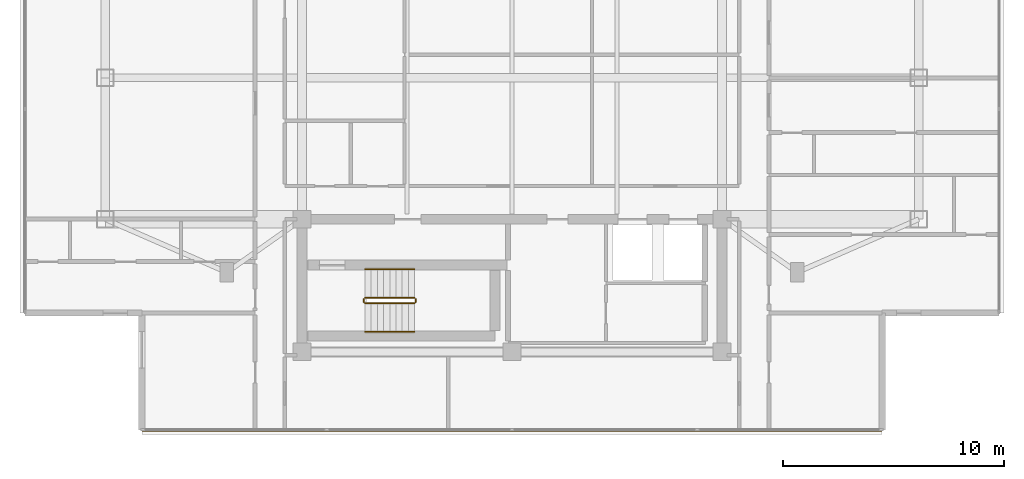
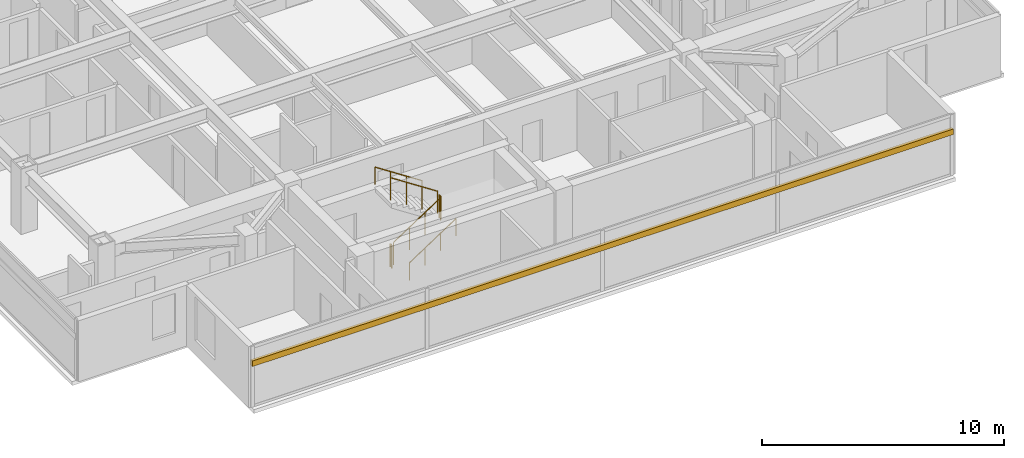
# One storey, part 12 of 14: 6 railings, 1 shading device.
"""IFC4 building model written with IfcOpenShell, lengths in metres."""

from ifc_helpers import new_model, si_unit, direction, frame, origin, origin_2d, place, context, subcontext, project, spatial, rectangle, circle, extrude, material, material_profile, profile_set, type_object, element, save


model = new_model("IFC4")

# Units and contexts
model_context = context("Model", 3, precision=1e-05, world=origin(), true_north=direction((0.0, 1.0)))
body_context = subcontext(model_context, "Body", "Model", "MODEL_VIEW")
ifc_project = project(units=[si_unit("LENGTHUNIT", "METRE"), si_unit("AREAUNIT", "SQUARE_METRE"), si_unit("VOLUMEUNIT", "CUBIC_METRE"), si_unit("PLANEANGLEUNIT", "RADIAN"), si_unit("MASSUNIT", "GRAM", prefix="KILO")], contexts=[model_context])

# Site, building, storey
site_placement = place(None, origin())
site = spatial("IfcSite", under=ifc_project, at=site_placement, CompositionType="ELEMENT")
building_placement = place(site_placement, origin())
building = spatial("IfcBuilding", under=site, at=building_placement, Name="Mirazonda Arch Towers", CompositionType="ELEMENT")
storey_placement = place(building_placement, frame((0.0, 0.0, 242.5)))
storey = spatial("IfcBuildingStorey", under=building, at=storey_placement, Name="L69", CompositionType="ELEMENT", Elevation=242.5)

# Shading device
ifc_material_1 = material(Name="Kiln-Fired Architectural Terracotta", Category="masonry")
ifc_material_profile = material_profile(ifc_material_1, rectangle(XDim=0.139892578125, YDim=0.280029296875, at=origin_2d()), Name="TERRA-BAG-140x280")
ifc_profile_set = profile_set([ifc_material_profile], Name="Kiln-Fired Architectural Terracotta")
shading_device_type = type_object("IfcShadingDeviceType", Name="BAGUETTE-3", PredefinedType="USERDEFINED", material=ifc_profile_set)
shading_device_placement = place(storey_placement, frame((37.25, 8.8740234375, 2.217529296875), z_axis=(-1.0, 0.0, 0.0), x_axis=(0.0, -1.0, 0.0)))
element("IfcShadingDevice", 1, at=shading_device_placement, inside=storey, type_object=shading_device_type, Name="L69 Glazed Terracotta Sun-Screen Baguette CW-L69-T1-S", ObjectType="BAGUETTE", PredefinedType="USERDEFINED", context=body_context, shape_type="SweptSolid", body=[
    extrude(rectangle(XDim=0.139892578125, YDim=0.280029296875, at=origin_2d()), origin(), (0.0, 0.0, 1.0), 33.5),
])

# Railings
ifc_material_2 = material(Name="Architectural Brushed Steel S355", Category="steel")
railing_type_1 = type_object("IfcRailingType", Name="GUARD-STAIR-1120", PredefinedType="GUARDRAIL", material=ifc_material_2)
railing_1_placement = place(storey_placement, frame((13.85009765625, 14.60009765625, 0.183349609375)))
element("IfcRailing", 2, at=railing_1_placement, inside=storey, type_object=railing_type_1, Name="L69 ST-T1S stair guard 1", PredefinedType="GUARDRAIL", context=body_context, shape_type="SweptSolid", body=[
    extrude(circle(Radius=0.02392578125, at=origin_2d()), frame((0.0, 0.0, 1.1259765625), z_axis=(0.836636935527, 0.0, 0.547757827979), x_axis=(0.0, 1.0, 0.0)), (0.0, 0.0, 1.0), 2.677490234375),
    extrude(circle(Radius=0.02099609375, at=origin_2d()), origin(), (0.0, 0.0, 1.0), 1.101806640625),
    extrude(circle(Radius=0.02099609375, at=origin_2d()), frame((0.74658203125, 0.0, 0.48876953125)), (0.0, 0.0, 1.0), 1.101806640625),
    extrude(circle(Radius=0.02099609375, at=origin_2d()), frame((1.493408203125, 0.0, 0.977783203125)), (0.0, 0.0, 1.0), 1.101806640625),
    extrude(circle(Radius=0.02099609375, at=origin_2d()), frame((2.239990234375, 0.0, 1.466552734375)), (0.0, 0.0, 1.0), 1.101806640625),
])
railing_2_placement = place(storey_placement, frame((16.139892578125, 14.64990234375, 1.64990234375)))
element("IfcRailing", 3, at=railing_2_placement, inside=storey, type_object=railing_type_1, Name="L69 ST-T1S stair guard 2", PredefinedType="GUARDRAIL", context=body_context, shape_type="SweptSolid", body=[
    extrude(circle(Radius=0.02392578125, at=origin_2d()), frame((0.0, 0.0, 1.1259765625), z_axis=(0.0, 1.0, 0.0), x_axis=(-1.0, 0.0, 0.0)), (0.0, 0.0, 1.0), 0.14013671875),
    extrude(circle(Radius=0.02099609375, at=origin_2d()), origin(), (0.0, 0.0, 1.0), 1.101806640625),
    extrude(circle(Radius=0.02099609375, at=origin_2d()), frame((0.0, 0.14013671875, 0.0)), (0.0, 0.0, 1.0), 1.101806640625),
])
railing_3_placement = place(storey_placement, frame((16.090087890625, 14.840087890625, 1.833251953125)))
element("IfcRailing", 4, at=railing_3_placement, inside=storey, type_object=railing_type_1, Name="L69 ST-T1S stair guard 3", PredefinedType="GUARDRAIL", context=body_context, shape_type="SweptSolid", body=[
    extrude(circle(Radius=0.02392578125, at=origin_2d()), frame((0.0, 0.0, 1.1259765625), z_axis=(-0.836595146698, 0.0, 0.547821650285), x_axis=(0.0, -1.0, 0.0)), (0.0, 0.0, 1.0), 2.677490234375),
    extrude(circle(Radius=0.02099609375, at=origin_2d()), origin(), (0.0, 0.0, 1.0), 1.101806640625),
    extrude(circle(Radius=0.02099609375, at=origin_2d()), frame((-0.74658203125, 0.0, 0.489013671875)), (0.0, 0.0, 1.0), 1.101806640625),
    extrude(circle(Radius=0.02099609375, at=origin_2d()), frame((-1.493408203125, 0.0, 0.977783203125)), (0.0, 0.0, 1.0), 1.101806640625),
    extrude(circle(Radius=0.02099609375, at=origin_2d()), frame((-2.239990234375, 0.0, 1.466796875)), (0.0, 0.0, 1.0), 1.101806640625),
])
railing_4_placement = place(storey_placement, frame((13.800048828125, 14.64990234375, 0.0)))
element("IfcRailing", 5, at=railing_4_placement, inside=storey, type_object=railing_type_1, Name="L69 ST-T1S stair guard 4", PredefinedType="GUARDRAIL", context=body_context, shape_type="SweptSolid", body=[
    extrude(circle(Radius=0.02392578125, at=origin_2d()), frame((0.0, 0.0, 1.1259765625), z_axis=(0.0, 1.0, 0.0), x_axis=(-1.0, 0.0, 0.0)), (0.0, 0.0, 1.0), 0.14013671875),
    extrude(circle(Radius=0.02099609375, at=origin_2d()), origin(), (0.0, 0.0, 1.0), 1.101806640625),
    extrude(circle(Radius=0.02099609375, at=origin_2d()), frame((0.0, 0.14013671875, 0.0)), (0.0, 0.0, 1.0), 1.101806640625),
])
railing_type_2 = type_object("IfcRailingType", Name="HANDRAIL-915", PredefinedType="HANDRAIL", material=ifc_material_2)
railing_5_placement = place(storey_placement, frame((13.85009765625, 13.300048828125, 0.183349609375)))
element("IfcRailing", 6, at=railing_5_placement, inside=storey, type_object=railing_type_2, Name="L69 ST-T1S stair handrail 1", PredefinedType="HANDRAIL", context=body_context, shape_type="SweptSolid", body=[
    extrude(circle(Radius=0.02392578125, at=origin_2d()), frame((0.0, 0.0, 0.8759765625), z_axis=(0.836636935527, 0.0, 0.547757827979), x_axis=(0.0, 1.0, 0.0)), (0.0, 0.0, 1.0), 2.677490234375),
    extrude(circle(Radius=0.02099609375, at=origin_2d()), origin(), (0.0, 0.0, 1.0), 0.851806640625),
    extrude(circle(Radius=0.02099609375, at=origin_2d()), frame((0.74658203125, 0.0, 0.48876953125)), (0.0, 0.0, 1.0), 0.851806640625),
    extrude(circle(Radius=0.02099609375, at=origin_2d()), frame((1.493408203125, 0.0, 0.977783203125)), (0.0, 0.0, 1.0), 0.851806640625),
    extrude(circle(Radius=0.02099609375, at=origin_2d()), frame((2.239990234375, 0.0, 1.466552734375)), (0.0, 0.0, 1.0), 0.851806640625),
])
railing_6_placement = place(storey_placement, frame((16.090087890625, 16.139892578125, 1.833251953125)))
element("IfcRailing", 7, at=railing_6_placement, inside=storey, type_object=railing_type_2, Name="L69 ST-T1S stair handrail 2", PredefinedType="HANDRAIL", context=body_context, shape_type="SweptSolid", body=[
    extrude(circle(Radius=0.02392578125, at=origin_2d()), frame((0.0, 0.0, 0.8759765625), z_axis=(-0.836595146698, 0.0, 0.547821650285), x_axis=(0.0, -1.0, 0.0)), (0.0, 0.0, 1.0), 2.677490234375),
    extrude(circle(Radius=0.02099609375, at=origin_2d()), origin(), (0.0, 0.0, 1.0), 0.851806640625),
    extrude(circle(Radius=0.02099609375, at=origin_2d()), frame((-0.74658203125, 0.0, 0.489013671875)), (0.0, 0.0, 1.0), 0.851806640625),
    extrude(circle(Radius=0.02099609375, at=origin_2d()), frame((-1.493408203125, 0.0, 0.977783203125)), (0.0, 0.0, 1.0), 0.851806640625),
    extrude(circle(Radius=0.02099609375, at=origin_2d()), frame((-2.239990234375, 0.0, 1.466796875)), (0.0, 0.0, 1.0), 0.851806640625),
])

save(model, "model.ifc")
